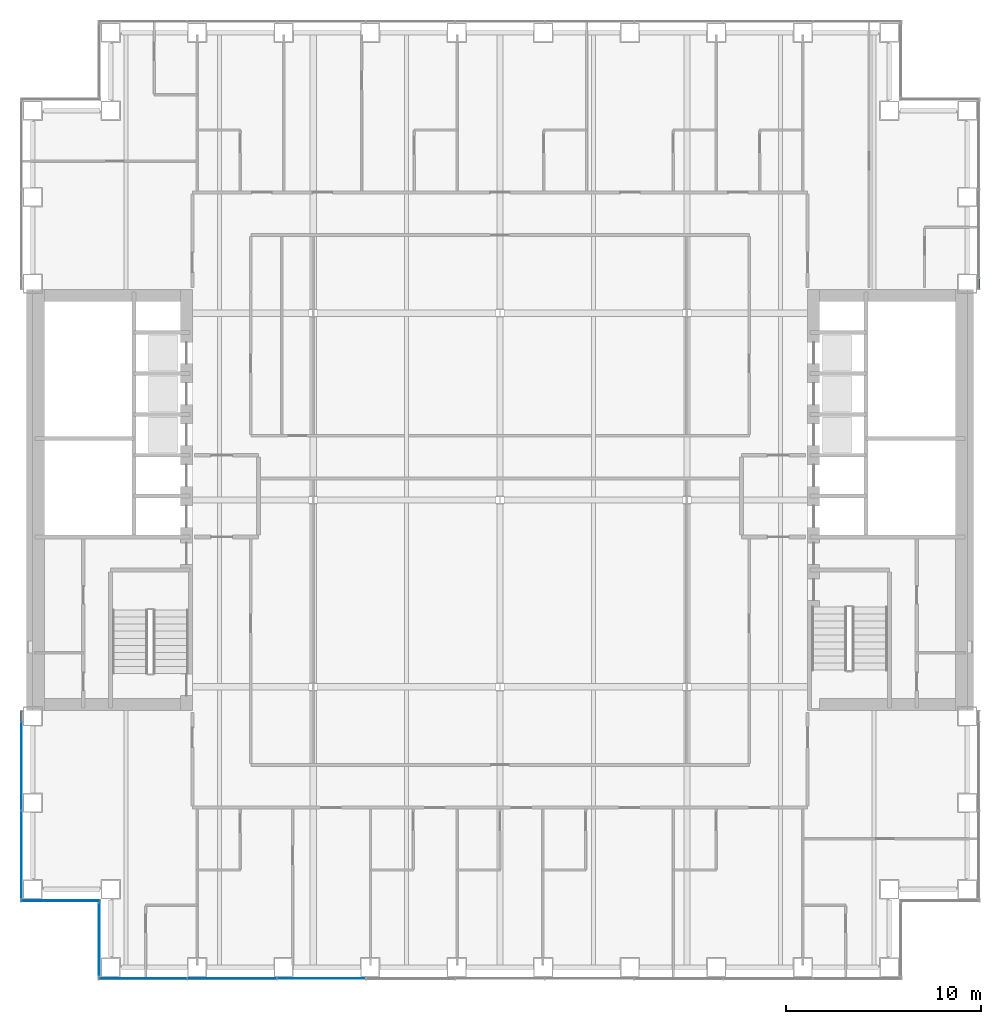
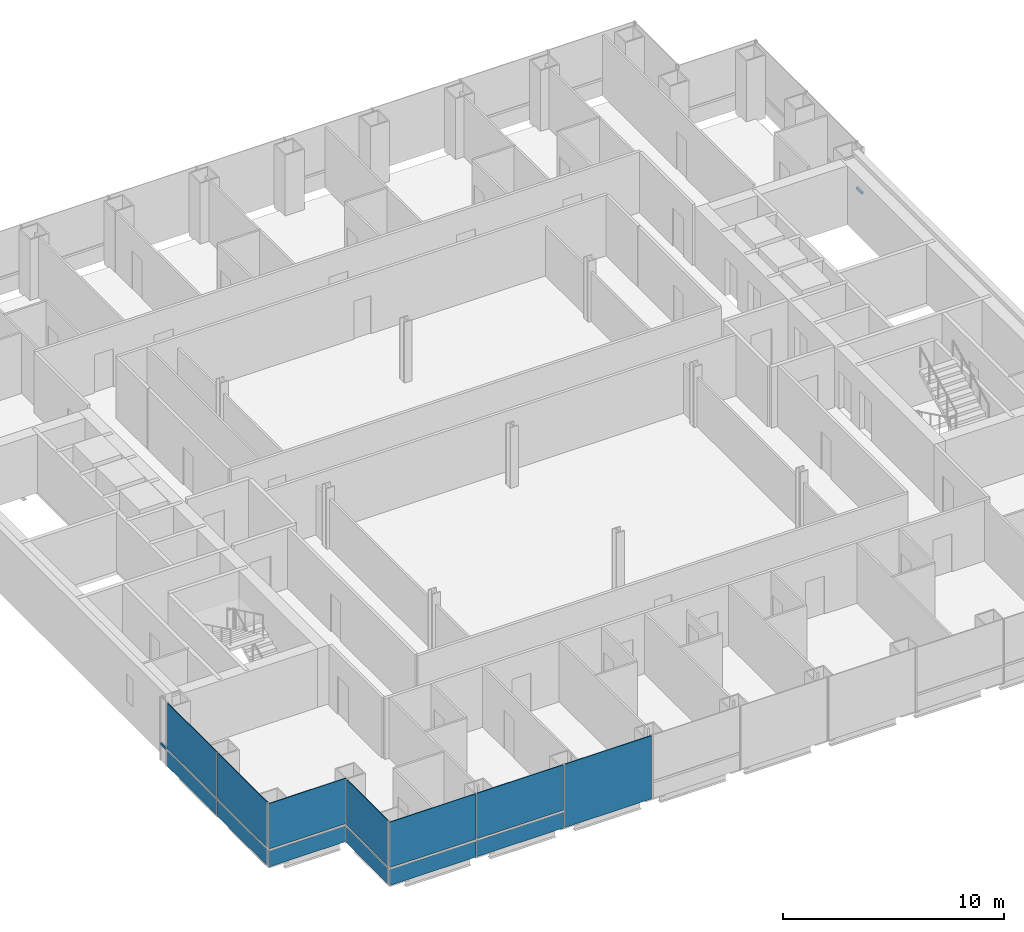
# One storey, part 11 of 21: 13 plates, 2 members, 5 elements without a shape of their own.
"""IFC4 building model written with IfcOpenShell, lengths in metres."""

from ifc_helpers import new_model, si_unit, direction, frame, origin, origin_2d, place, context, subcontext, project, spatial, rectangle, extrude, material, layer, layer_set, material_profile, profile_set, type_object, element, aggregate, save


model = new_model("IFC4")

# Units and contexts
model_context = context("Model", 3, precision=1e-05, world=origin(), true_north=direction((0.0, 1.0)))
body_context = subcontext(model_context, "Body", "Model", "MODEL_VIEW")
ifc_project = project(units=[si_unit("LENGTHUNIT", "METRE"), si_unit("AREAUNIT", "SQUARE_METRE"), si_unit("VOLUMEUNIT", "CUBIC_METRE"), si_unit("PLANEANGLEUNIT", "RADIAN"), si_unit("MASSUNIT", "GRAM", prefix="KILO")], contexts=[model_context])

# Site, building, storey
site_placement = place(None, origin())
site = spatial("IfcSite", under=ifc_project, at=site_placement, CompositionType="ELEMENT")
building_placement = place(site_placement, origin())
building = spatial("IfcBuilding", under=site, at=building_placement, Name="Cobrizo Arcos Hotel Tower", CompositionType="ELEMENT")
storey_placement = place(building_placement, frame((0.0, 0.0, 42.5)))
storey = spatial("IfcBuildingStorey", under=building, at=storey_placement, Name="L08", CompositionType="ELEMENT", Elevation=42.5)

# Curtain wall, member
ifc_material_1 = material(Name="Aluminium 6063-T6 anodised bronze", Category="aluminium")
curtain_wall_type = type_object("IfcCurtainWallType", Name="CW-A guest facade", PredefinedType="NOTDEFINED", material=ifc_material_1)
curtain_wall_1_placement = place(storey_placement, origin())
curtain_wall_1 = element("IfcCurtainWall", 1, at=curtain_wall_1_placement, inside=storey, type_object=curtain_wall_type, Name="CW-A L08 E face", PredefinedType="NOTDEFINED")
ifc_material_profile = material_profile(ifc_material_1, rectangle(XDim=0.10009765625, YDim=0.1201171875, at=origin_2d()), Name="CW-A transom 120x100")
ifc_profile_set = profile_set([ifc_material_profile], Name="Aluminium 6063-T6 anodised bronze")
member_type = type_object("IfcMemberType", Name="CW-A transom 120x100", PredefinedType="USERDEFINED", material=ifc_profile_set)
member_1_placement = place(storey_placement, frame((24.574951171875, 10.860107421875, 0.929931640625), z_axis=(0.0, 1.0, 0.0), x_axis=(-1.0, 0.0, 0.0)))
member_1 = element("IfcMember", 2, at=member_1_placement, type_object=member_type, Name="CW-A transom 413", ObjectType="TRANSOM", PredefinedType="USERDEFINED", context=body_context, shape_type="SweptSolid", body=[
    extrude(rectangle(XDim=0.10009765625, YDim=0.1201171875, at=origin_2d()), origin(), (0.0, 0.0, 1.0), 0.498779296875),
])
aggregate(curtain_wall_1, [member_1])

curtain_wall_2_placement = place(storey_placement, origin())
curtain_wall_2 = element("IfcCurtainWall", 3, at=curtain_wall_2_placement, inside=storey, type_object=curtain_wall_type, Name="CW-A L08 W face", PredefinedType="NOTDEFINED")
member_2_placement = place(storey_placement, frame((-24.574951171875, -10.860107421875, 0.929931640625), z_axis=(0.0, -1.0, 0.0), x_axis=(1.0, 0.0, 0.0)))
member_2 = element("IfcMember", 4, at=member_2_placement, type_object=member_type, Name="CW-A transom 432", ObjectType="TRANSOM", PredefinedType="USERDEFINED", context=body_context, shape_type="SweptSolid", body=[
    extrude(rectangle(XDim=0.10009765625, YDim=0.1201171875, at=origin_2d()), origin(), (0.0, 0.0, 1.0), 0.498779296875),
])

# Curtain wall, plates
curtain_wall_3_placement = place(storey_placement, origin())
curtain_wall_3 = element("IfcCurtainWall", 5, at=curtain_wall_3_placement, inside=storey, type_object=curtain_wall_type, Name="CW-A L08 S face", PredefinedType="NOTDEFINED")
ifc_material_2 = material(Name="Glass clear laminated low-e", Category="glass")
ifc_layer_1 = layer(ifc_material_2, 0.0400390625)
ifc_layer_set_1 = layer_set([ifc_layer_1], Name="CW-A glass panel")
plate_type_1 = type_object("IfcPlateType", Name="CW-A glass panel", PredefinedType="CURTAIN_PANEL", material=ifc_layer_set_1)
plate_1_placement = place(storey_placement, frame((-18.340576171875, -24.574951171875, 0.990234375), z_axis=(0.0, 0.0, 1.0), x_axis=(1.0, 0.0, 0.0)))
plate_1 = element("IfcPlate", 6, at=plate_1_placement, type_object=plate_type_1, Name="CW-A glass panel 399", PredefinedType="CURTAIN_PANEL", context=body_context, shape_type="SweptSolid", body=[
    extrude(rectangle(XDim=4.498779296875, YDim=0.0400390625, at=origin_2d()), origin(), (0.0, 0.0, 1.0), 2.510009765625),
])
plate_2_placement = place(storey_placement, frame((-13.7666015625, -24.574951171875, 0.990234375), z_axis=(0.0, 0.0, 1.0), x_axis=(1.0, 0.0, 0.0)))
plate_2 = element("IfcPlate", 7, at=plate_2_placement, type_object=plate_type_1, Name="CW-A glass panel 400", PredefinedType="CURTAIN_PANEL", context=body_context, shape_type="SweptSolid", body=[
    extrude(rectangle(XDim=4.52880859375, YDim=0.0400390625, at=origin_2d()), origin(), (0.0, 0.0, 1.0), 2.510009765625),
])

# Plate
plate_3_placement = place(storey_placement, frame((-24.574951171875, -13.666748046875, 0.990234375), z_axis=(0.0, 0.0, 1.0), x_axis=(0.0, -1.0, 0.0)))
plate_3 = element("IfcPlate", 8, at=plate_3_placement, type_object=plate_type_1, Name="CW-A glass panel 433", PredefinedType="CURTAIN_PANEL", context=body_context, shape_type="SweptSolid", body=[
    extrude(rectangle(XDim=4.49560546875, YDim=0.0400390625, at=origin_2d()), origin(), (0.0, 0.0, 1.0), 2.510009765625),
])

plate_4_placement = place(storey_placement, frame((-24.574951171875, -18.207275390625, 0.990234375), z_axis=(0.0, 0.0, 1.0), x_axis=(0.0, -1.0, 0.0)))
plate_4 = element("IfcPlate", 9, at=plate_4_placement, type_object=plate_type_1, Name="CW-A glass panel 434", PredefinedType="CURTAIN_PANEL", context=body_context, shape_type="SweptSolid", body=[
    extrude(rectangle(XDim=4.465576171875, YDim=0.0400390625, at=origin_2d()), origin(), (0.0, 0.0, 1.0), 2.510009765625),
])

# Curtain wall, plate
curtain_wall_4_placement = place(storey_placement, origin())
curtain_wall_4 = element("IfcCurtainWall", 10, at=curtain_wall_4_placement, inside=storey, type_object=curtain_wall_type, Name="CW-A L08 S face", PredefinedType="NOTDEFINED")
plate_5_placement = place(storey_placement, frame((-22.574951171875, -20.574951171875, 0.990234375), z_axis=(0.0, 0.0, 1.0), x_axis=(1.0, 0.0, 0.0)))
plate_5 = element("IfcPlate", 11, at=plate_5_placement, type_object=plate_type_1, Name="CW-A glass panel 435", PredefinedType="CURTAIN_PANEL", context=body_context, shape_type="SweptSolid", body=[
    extrude(rectangle(XDim=4.030029296875, YDim=0.0400390625, at=origin_2d()), origin(), (0.0, 0.0, 1.0), 2.510009765625),
])

curtain_wall_5_placement = place(storey_placement, origin())
curtain_wall_5 = element("IfcCurtainWall", 12, at=curtain_wall_5_placement, inside=storey, type_object=curtain_wall_type, Name="CW-A L08 W face", PredefinedType="NOTDEFINED")
plate_6_placement = place(storey_placement, frame((-20.574951171875, -22.574951171875, 0.990234375), z_axis=(0.0, 0.0, 1.0), x_axis=(0.0, -1.0, 0.0)))
plate_6 = element("IfcPlate", 13, at=plate_6_placement, type_object=plate_type_1, Name="CW-A glass panel 436", PredefinedType="CURTAIN_PANEL", context=body_context, shape_type="SweptSolid", body=[
    extrude(rectangle(XDim=3.72998046875, YDim=0.0400390625, at=origin_2d()), origin(), (0.0, 0.0, 1.0), 2.510009765625),
])

# Plate
ifc_material_3 = material(Name="Aluminium composite panel pale metal", Category="aluminium")
ifc_layer_2 = layer(ifc_material_3, 0.0400390625)
ifc_layer_set_2 = layer_set([ifc_layer_2], Name="CW-A spandrel panel")
plate_type_2 = type_object("IfcPlateType", Name="CW-A spandrel panel", PredefinedType="CURTAIN_PANEL", material=ifc_layer_set_2)
plate_7_placement = place(storey_placement, frame((-18.340576171875, -24.574951171875, 0.0), z_axis=(0.0, 0.0, 1.0), x_axis=(1.0, 0.0, 0.0)))
plate_7 = element("IfcPlate", 14, at=plate_7_placement, type_object=plate_type_2, Name="CW-A spandrel panel 399", PredefinedType="CURTAIN_PANEL", context=body_context, shape_type="SweptSolid", body=[
    extrude(rectangle(XDim=4.498779296875, YDim=0.0400390625, at=origin_2d()), origin(), (0.0, 0.0, 1.0), 0.8701171875),
])

plate_8_placement = place(storey_placement, frame((-13.7666015625, -24.574951171875, 0.0), z_axis=(0.0, 0.0, 1.0), x_axis=(1.0, 0.0, 0.0)))
plate_8 = element("IfcPlate", 15, at=plate_8_placement, type_object=plate_type_2, Name="CW-A spandrel panel 400", PredefinedType="CURTAIN_PANEL", context=body_context, shape_type="SweptSolid", body=[
    extrude(rectangle(XDim=4.52880859375, YDim=0.0400390625, at=origin_2d()), origin(), (0.0, 0.0, 1.0), 0.8701171875),
])

plate_9_placement = place(storey_placement, frame((-9.177734375, -24.574951171875, 0.0), z_axis=(0.0, 0.0, 1.0), x_axis=(1.0, 0.0, 0.0)))
plate_9 = element("IfcPlate", 16, at=plate_9_placement, type_object=plate_type_2, Name="CW-A spandrel panel 401", PredefinedType="CURTAIN_PANEL", context=body_context, shape_type="SweptSolid", body=[
    extrude(rectangle(XDim=4.52880859375, YDim=0.0400390625, at=origin_2d()), origin(), (0.0, 0.0, 1.0), 3.5),
])

aggregate(curtain_wall_3, [plate_7, plate_1, plate_8, plate_2, plate_9])

plate_10_placement = place(storey_placement, frame((-24.574951171875, -13.666748046875, 0.0), z_axis=(0.0, 0.0, 1.0), x_axis=(0.0, -1.0, 0.0)))
plate_10 = element("IfcPlate", 17, at=plate_10_placement, type_object=plate_type_2, Name="CW-A spandrel panel 433", PredefinedType="CURTAIN_PANEL", context=body_context, shape_type="SweptSolid", body=[
    extrude(rectangle(XDim=4.49560546875, YDim=0.0400390625, at=origin_2d()), origin(), (0.0, 0.0, 1.0), 0.8701171875),
])

plate_11_placement = place(storey_placement, frame((-24.574951171875, -18.207275390625, 0.0), z_axis=(0.0, 0.0, 1.0), x_axis=(0.0, -1.0, 0.0)))
plate_11 = element("IfcPlate", 18, at=plate_11_placement, type_object=plate_type_2, Name="CW-A spandrel panel 434", PredefinedType="CURTAIN_PANEL", context=body_context, shape_type="SweptSolid", body=[
    extrude(rectangle(XDim=4.465576171875, YDim=0.0400390625, at=origin_2d()), origin(), (0.0, 0.0, 1.0), 0.8701171875),
])

aggregate(curtain_wall_2, [member_2, plate_10, plate_3, plate_11, plate_4])

plate_12_placement = place(storey_placement, frame((-22.574951171875, -20.574951171875, 0.0), z_axis=(0.0, 0.0, 1.0), x_axis=(1.0, 0.0, 0.0)))
plate_12 = element("IfcPlate", 19, at=plate_12_placement, type_object=plate_type_2, Name="CW-A spandrel panel 435", PredefinedType="CURTAIN_PANEL", context=body_context, shape_type="SweptSolid", body=[
    extrude(rectangle(XDim=4.030029296875, YDim=0.0400390625, at=origin_2d()), origin(), (0.0, 0.0, 1.0), 0.8701171875),
])

aggregate(curtain_wall_4, [plate_12, plate_5])

plate_13_placement = place(storey_placement, frame((-20.574951171875, -22.574951171875, 0.0), z_axis=(0.0, 0.0, 1.0), x_axis=(0.0, -1.0, 0.0)))
plate_13 = element("IfcPlate", 20, at=plate_13_placement, type_object=plate_type_2, Name="CW-A spandrel panel 436", PredefinedType="CURTAIN_PANEL", context=body_context, shape_type="SweptSolid", body=[
    extrude(rectangle(XDim=3.72998046875, YDim=0.0400390625, at=origin_2d()), origin(), (0.0, 0.0, 1.0), 0.8701171875),
])

aggregate(curtain_wall_5, [plate_13, plate_6])

save(model, "model.ifc")
